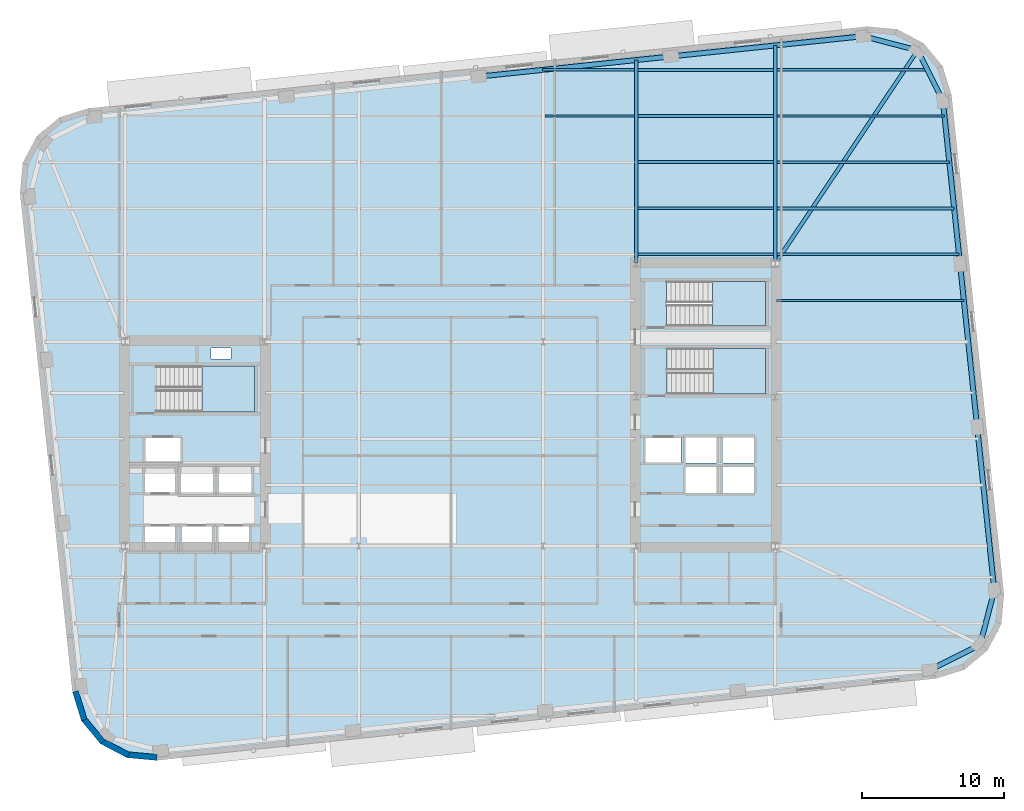
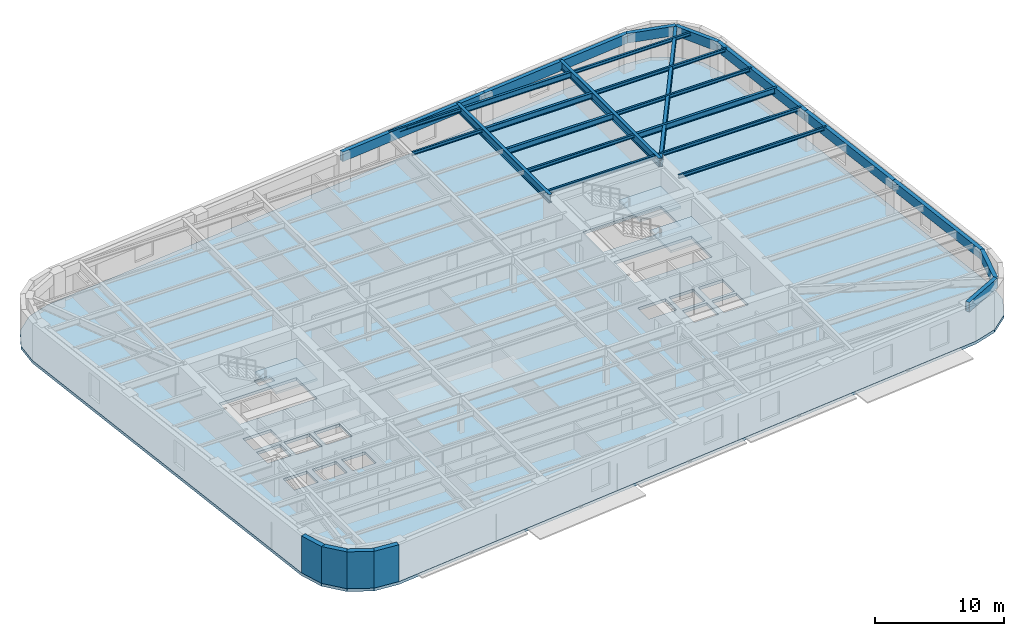
# One storey, part 3 of 11: 25 beams, 4 slabs, 4 walls, 3 elements without a shape of their own.
"""IFC4 building model written with IfcOpenShell, lengths in metres."""

import ifcopenshell
import ifcopenshell.guid

model = None  # the IFC model being written
_history = None  # IfcOwnerHistory: only IFC2X3 demands one
_inside = {}  # id of a spatial element -> (the spatial element, [elements in it])
_under = {}  # id of a project, library or spatial element -> (it, [spatial elements below it])
_declared = {}  # id of a project -> (the project, [libraries it declares])
_typed = {}  # id of a type object -> (the type object, [elements of that type])
_made_of = {}  # id of a material, layer set ... -> (it, [elements and type objects made of it])


def new_model(schema):
    """Start an empty IFC model of exactly this schema.

    Asked for "IFC4X3", IfcOpenShell would pick the latest addendum, in which some entities
    have other attributes; the version numbers below select the first issue.
    IFC2X3 requires an IfcOwnerHistory on every rooted entity: one is made here for all.
    """
    global model, _history
    if schema == "IFC4X3":
        model = ifcopenshell.file(schema_version=(4, 3, 0, 0))
    else:
        model = ifcopenshell.file(schema=schema)
    _inside.clear()
    _under.clear()
    _declared.clear()
    _typed.clear()
    _made_of.clear()
    _history = None
    if model.schema == "IFC2X3":
        org = make("IfcOrganization", Name="unknown")
        user = make(
            "IfcPersonAndOrganization",
            ThePerson=make("IfcPerson", FamilyName="unknown"),
            TheOrganization=org,
        )
        app = make(
            "IfcApplication",
            ApplicationDeveloper=org,
            Version="unknown",
            ApplicationFullName="unknown",
            ApplicationIdentifier="unknown",
        )
        _history = make(
            "IfcOwnerHistory",
            OwningUser=user,
            OwningApplication=app,
            ChangeAction="ADDED",
            CreationDate=0,
        )
    return model


def make(cls, **values):
    """One entity of the class cls with the attributes given. An attribute that is None is left unset."""
    return model.create_entity(
        cls, **{name: value for name, value in values.items() if value is not None}
    )


def rooted(cls, **values):
    """An entity with a GlobalId (a new one), such as an element, a storey or a relation."""
    return make(cls, GlobalId=ifcopenshell.guid.new(), OwnerHistory=_history, **values)


def si_unit(unit_type, name, prefix=None):
    """IfcSIUnit, for example si_unit("LENGTHUNIT", "METRE", prefix="MILLI")."""
    return make("IfcSIUnit", UnitType=unit_type, Prefix=prefix, Name=name)


def assignment(units):
    """IfcUnitAssignment: the units of a project."""
    return None if units is None else make("IfcUnitAssignment", Units=units)


def point(xyz):
    """IfcCartesianPoint."""
    return None if xyz is None else make("IfcCartesianPoint", Coordinates=xyz)


def direction(xyz):
    """IfcDirection."""
    return None if xyz is None else make("IfcDirection", DirectionRatios=xyz)


def frame(location, z_axis=None, x_axis=None):
    """IfcAxis2Placement3D, a coordinate frame: its origin and axes. An axis left out is left unset."""
    return make(
        "IfcAxis2Placement3D",
        Location=point(location),
        Axis=direction(z_axis),
        RefDirection=direction(x_axis),
    )


def frame_2d(location, x_axis=None):
    """IfcAxis2Placement2D, a coordinate frame in the plane: its origin and x axis."""
    return make(
        "IfcAxis2Placement2D", Location=point(location), RefDirection=direction(x_axis)
    )


def origin():
    """The frame at (0, 0, 0) with its axes left unset."""
    return frame((0.0, 0.0, 0.0))


def origin_2d():
    """The frame at (0, 0) in the plane with its x axis left unset."""
    return frame_2d((0.0, 0.0))


def place(relative_to, where):
    """IfcLocalPlacement: puts the frame where relative to a parent placement (None: the world)."""
    return make(
        "IfcLocalPlacement", PlacementRelTo=relative_to, RelativePlacement=where
    )


def context(
    kind, dimensions, precision=None, world=None, true_north=None, identifier=None
):
    """IfcGeometricRepresentationContext, for example the 3D "Model" context."""
    return make(
        "IfcGeometricRepresentationContext",
        ContextIdentifier=identifier,
        ContextType=kind,
        CoordinateSpaceDimension=dimensions,
        Precision=precision,
        WorldCoordinateSystem=world,
        TrueNorth=true_north,
    )


def subcontext(parent, identifier, kind, view, scale=None):
    """IfcGeometricRepresentationSubContext, for example "Body" below "Model"."""
    return make(
        "IfcGeometricRepresentationSubContext",
        ContextIdentifier=identifier,
        ContextType=kind,
        ParentContext=parent,
        TargetScale=scale,
        TargetView=view,
    )


def project(units=None, contexts=None):
    """IfcProject with its units and contexts."""
    return rooted(
        "IfcProject",
        Name="project",
        RepresentationContexts=contexts,
        UnitsInContext=assignment(units),
    )


def spatial(cls, under=None, at=None, **own):
    """A site, building, storey or space (cls), placed at a placement, below another one or the project."""
    s = rooted(cls, ObjectPlacement=at, **own)
    if under is not None:
        _under.setdefault(under.id(), (under, []))[1].append(s)
    return s


def polyline(points):
    """IfcPolyline through the points."""
    return make("IfcPolyline", Points=[point(p) for p in points])


def profile(cls, at=None, kind="AREA", **sizes):
    """A parametric profile (cls). Its sizes go by their IFC names, for example OverallWidth=200.0."""
    return make(cls, ProfileType=kind, Position=at, **sizes)


def rectangle(**sizes):
    """IfcRectangleProfileDef."""
    return profile("IfcRectangleProfileDef", **sizes)


def hollow_rectangle(**sizes):
    """IfcRectangleHollowProfileDef."""
    return profile("IfcRectangleHollowProfileDef", **sizes)


def i_section(**sizes):
    """IfcIShapeProfileDef."""
    return profile("IfcIShapeProfileDef", **sizes)


def outline(outer, holes=None, kind="AREA"):
    """IfcArbitraryClosedProfileDef: a profile drawn as a closed curve; with holes, ...WithVoids."""
    if holes is None:
        return make("IfcArbitraryClosedProfileDef", ProfileType=kind, OuterCurve=outer)
    return make(
        "IfcArbitraryProfileDefWithVoids",
        ProfileType=kind,
        OuterCurve=outer,
        InnerCurves=holes,
    )


def extrude(swept, where, along, depth):
    """IfcExtrudedAreaSolid: the profile swept, set in the frame where, extruded along a direction by depth."""
    return make(
        "IfcExtrudedAreaSolid",
        SweptArea=swept,
        Position=where,
        ExtrudedDirection=direction(along),
        Depth=depth,
    )


def shape(context_of_items, identifier, shape_type, items):
    """IfcShapeRepresentation: the items that make up one representation, for example the "Body"."""
    return make(
        "IfcShapeRepresentation",
        ContextOfItems=context_of_items,
        RepresentationIdentifier=identifier,
        RepresentationType=shape_type,
        Items=items,
    )


def material(Name=None, Category=None):
    """IfcMaterial."""
    return make("IfcMaterial", Name=Name, Category=Category)


def layer(
    of_material, thickness, ventilated=None, Name=None, Category=None, Priority=None
):
    """IfcMaterialLayer: one layer of a wall or slab, of a material (None: an air gap)."""
    return make(
        "IfcMaterialLayer",
        Material=of_material,
        LayerThickness=thickness,
        IsVentilated=ventilated,
        Name=Name,
        Category=Category,
        Priority=Priority,
    )


def layer_set(layers, Name=None):
    """IfcMaterialLayerSet."""
    return make("IfcMaterialLayerSet", MaterialLayers=layers, LayerSetName=Name)


def material_profile(
    of_material, cross_section, Name=None, Category=None, Priority=None
):
    """IfcMaterialProfile: a cross section and its material."""
    return make(
        "IfcMaterialProfile",
        Name=Name,
        Material=of_material,
        Profile=cross_section,
        Priority=Priority,
        Category=Category,
    )


def profile_set(profiles, Name=None, composite=None):
    """IfcMaterialProfileSet."""
    return make(
        "IfcMaterialProfileSet",
        Name=Name,
        MaterialProfiles=profiles,
        CompositeProfile=composite,
    )


def made_of(thing, what):
    """Note that an element or type object is made of a material, layer set ...; save() writes the relation."""
    if what is not None:
        _made_of.setdefault(what.id(), (what, []))[1].append(thing)
    return thing


def type_object(cls, material=None, **own):
    """A type object (cls), such as IfcWallType, which elements share."""
    return made_of(rooted(cls, **own), material)


def element(
    cls,
    number,
    at=None,
    inside=None,
    cuts=None,
    type_object=None,
    material=None,
    context=None,
    identifier="Body",
    shape_type=None,
    held_by="IfcProductDefinitionShape",
    body=None,
    shapes=None,
    **own,
):
    """One element of the class cls, such as IfcWall. Its Tag is "e" and its number.

    at: its placement. inside: the storey or other place that contains it. cuts: it is an
    opening in that element (IfcRelVoidsElement). A single representation is given by context,
    identifier, shape_type and body (its items); several are given by shapes. held_by: the class
    of the entity that holds the representations. save() writes the other relations.
    """
    e = rooted(cls, Tag="e%d" % number, ObjectPlacement=at, **own)
    if body is not None:
        shapes = [shape(context, identifier, shape_type, body)]
    if shapes is not None:
        e.Representation = make(held_by, Representations=shapes)
    if inside is not None:
        _inside.setdefault(inside.id(), (inside, []))[1].append(e)
    if cuts is not None:
        rooted(
            "IfcRelVoidsElement", RelatingBuildingElement=cuts, RelatedOpeningElement=e
        )
    if type_object is not None:
        _typed.setdefault(type_object.id(), (type_object, []))[1].append(e)
    return made_of(e, material)


def aggregate(whole, parts):
    """IfcRelAggregates: a whole, such as a stair, and the parts it consists of."""
    return rooted("IfcRelAggregates", RelatingObject=whole, RelatedObjects=parts)


def save(model, path):
    """Write the relations noted so far, then the file.

    IfcRelAggregates (storeys below a building ...), IfcRelContainedInSpatialStructure (elements
    in a storey), IfcRelDefinesByType, IfcRelAssociatesMaterial and IfcRelDeclares: one each for
    every whole, place, type object, material and project.
    """
    for whole, parts in _under.values():
        aggregate(whole, parts)
    for where, things in _inside.values():
        rooted(
            "IfcRelContainedInSpatialStructure",
            RelatedElements=things,
            RelatingStructure=where,
        )
    for kind, things in _typed.values():
        rooted("IfcRelDefinesByType", RelatedObjects=things, RelatingType=kind)
    for what, things in _made_of.values():
        rooted("IfcRelAssociatesMaterial", RelatedObjects=things, RelatingMaterial=what)
    for by, libraries in _declared.values():
        rooted("IfcRelDeclares", RelatingContext=by, RelatedDefinitions=libraries)
    model.write(path)


model = new_model("IFC4")

# Units and contexts
model_context = context("Model", 3, precision=1e-05, world=origin(), true_north=direction((0.0, 1.0)))
body_context = subcontext(model_context, "Body", "Model", "MODEL_VIEW")
ifc_project = project(units=[si_unit("LENGTHUNIT", "METRE"), si_unit("AREAUNIT", "SQUARE_METRE"), si_unit("VOLUMEUNIT", "CUBIC_METRE"), si_unit("PLANEANGLEUNIT", "RADIAN"), si_unit("MASSUNIT", "GRAM", prefix="KILO")], contexts=[model_context])

# Site, building, storey
site_placement = place(None, origin())
site = spatial("IfcSite", under=ifc_project, at=site_placement, CompositionType="ELEMENT")
building_placement = place(site_placement, origin())
building = spatial("IfcBuilding", under=site, at=building_placement, Name="Kolvaren Arena Tower", CompositionType="ELEMENT")
storey_placement = place(building_placement, frame((0.0, 0.0, 134.5)))
storey = spatial("IfcBuildingStorey", under=building, at=storey_placement, Name="L31", CompositionType="ELEMENT", Elevation=134.5)

# Beams
ifc_material_1 = material(Name="Steel CSA G40.21 350W", Category="steel")
ifc_material_profile_1 = material_profile(ifc_material_1, i_section(OverallWidth=0.2119140625, OverallDepth=0.54296875, WebThickness=0.01318359375, FlangeThickness=0.0244140625, FilletRadius=0.013916015625, at=origin_2d()), Name="W530x150")
ifc_profile_set_1 = profile_set([ifc_material_profile_1], Name="Steel CSA G40.21 350W")
beam_type_1 = type_object("IfcBeamType", Name="BEAM-F1", PredefinedType="BEAM", material=ifc_profile_set_1)
beam_1_placement = place(storey_placement, frame((60.485107421875, 43.25, 3.20849609375), z_axis=(1.0, 0.0, 0.0), x_axis=(0.0, 1.0, 0.0)))
element("IfcBeam", 1, at=beam_1_placement, inside=storey, type_object=beam_type_1, Name="Composite Floor Beam (L31)", PredefinedType="BEAM", context=body_context, shape_type="SweptSolid", body=[
    extrude(i_section(OverallWidth=0.2119140625, OverallDepth=0.54296875, WebThickness=0.01318359375, FlangeThickness=0.0244140625, FilletRadius=0.013916015625, at=origin_2d()), origin(), (0.0, 0.0, 1.0), 12.471435546875),
])
for number, where, z_axis, x_axis, name in (
    (2, (50.68505859375, 46.5, 3.20849609375), (1.0, 0.0, 0.0), (0.0, 1.0, 0.0), "Composite Floor Beam (L31)"),
    (3, (50.68505859375, 49.75, 3.20849609375), (1.0, 0.0, 0.0), (0.0, 1.0, 0.0), "Composite Floor Beam (L31)"),
    (4, (50.68505859375, 53.0, 3.20849609375), (1.0, 0.0, 0.0), (0.0, 1.0, 0.0), "Composite Floor Beam (L31)"),
):
    element("IfcBeam", number, at=place(storey_placement, frame(where, z_axis=z_axis, x_axis=x_axis)), inside=storey, type_object=beam_type_1, Name=name, PredefinedType="BEAM", context=body_context, shape_type="SweptSolid", body=[
        extrude(i_section(OverallWidth=0.2119140625, OverallDepth=0.54296875, WebThickness=0.01318359375, FlangeThickness=0.0244140625, FilletRadius=0.013916015625, at=origin_2d()), origin(), (0.0, 0.0, 1.0), 9.530029296875),
    ])
ifc_material_profile_2 = material_profile(ifc_material_1, i_section(OverallWidth=0.27001953125, OverallDepth=0.77294921875, WebThickness=0.019287109375, FlangeThickness=0.033447265625, FilletRadius=0.01806640625, at=origin_2d()), Name="W760x257")
ifc_profile_set_2 = profile_set([ifc_material_profile_2], Name="Steel CSA G40.21 350W")
beam_type_2 = type_object("IfcBeamType", Name="GIRD-T1", PredefinedType="BEAM", material=ifc_profile_set_2)
beam_2_placement = place(storey_placement, frame((70.387939453125, 54.37939453125, 3.093505859375), z_axis=(-0.555401401293, -0.831582397266, 0.0), x_axis=(0.831582397266, -0.555401401293, 0.0)))
element("IfcBeam", 5, at=beam_2_placement, inside=storey, type_object=beam_type_2, Name="Corner Diagonal Tie Girder (L31)", PredefinedType="BEAM", context=body_context, shape_type="SweptSolid", body=[
    extrude(i_section(OverallWidth=0.27001953125, OverallDepth=0.77294921875, WebThickness=0.019287109375, FlangeThickness=0.033447265625, FilletRadius=0.01806640625, at=origin_2d()), origin(), (0.0, 0.0, 1.0), 18.0732421875),
])
beam_3_placement = place(storey_placement, frame((50.550048828125, 39.405029296875, 3.093505859375), z_axis=(0.0, 1.0, 0.0), x_axis=(-1.0, 0.0, 0.0)))
element("IfcBeam", 6, at=beam_3_placement, inside=storey, type_object=beam_type_2, Name="Primary Floor Girder (L31)", PredefinedType="BEAM", context=body_context, shape_type="SweptSolid", body=[
    extrude(i_section(OverallWidth=0.27001953125, OverallDepth=0.77294921875, WebThickness=0.019287109375, FlangeThickness=0.033447265625, FilletRadius=0.01806640625, at=origin_2d()), origin(), (0.0, 0.0, 1.0), 14.288330078125),
])
beam_4_placement = place(storey_placement, frame((60.35009765625, 39.405029296875, 3.093505859375), z_axis=(0.0, 1.0, 0.0), x_axis=(-1.0, 0.0, 0.0)))
element("IfcBeam", 7, at=beam_4_placement, inside=storey, type_object=beam_type_2, Name="Primary Floor Girder (L31)", PredefinedType="BEAM", context=body_context, shape_type="SweptSolid", body=[
    extrude(i_section(OverallWidth=0.27001953125, OverallDepth=0.77294921875, WebThickness=0.019287109375, FlangeThickness=0.033447265625, FilletRadius=0.01806640625, at=origin_2d()), origin(), (0.0, 0.0, 1.0), 15.318359375),
])
ifc_material_profile_3 = material_profile(ifc_material_1, i_section(OverallWidth=0.1669921875, OverallDepth=0.31689453125, WebThickness=0.007568359375, FlangeThickness=0.01318359375, FilletRadius=0.010009765625, at=origin_2d()), Name="W310x52")
ifc_profile_set_3 = profile_set([ifc_material_profile_3], Name="Steel CSA G40.21 350W")
beam_type_3 = type_object("IfcBeamType", Name="JOIST-02", PredefinedType="JOIST", material=ifc_profile_set_3)
beam_5_placement = place(storey_placement, frame((60.445068359375, 36.75, 3.321533203125), z_axis=(1.0, 0.0, 0.0), x_axis=(0.0, 1.0, 0.0)))
element("IfcBeam", 8, at=beam_5_placement, inside=storey, type_object=beam_type_3, Name="Composite Floor Joist (L31)", PredefinedType="JOIST", context=body_context, shape_type="SweptSolid", body=[
    extrude(i_section(OverallWidth=0.1669921875, OverallDepth=0.31689453125, WebThickness=0.007568359375, FlangeThickness=0.01318359375, FilletRadius=0.010009765625, at=origin_2d()), origin(), (0.0, 0.0, 1.0), 13.19482421875),
])
beam_6_placement = place(storey_placement, frame((50.68505859375, 40.0, 3.321533203125), z_axis=(1.0, 0.0, 0.0), x_axis=(0.0, 1.0, 0.0)))
element("IfcBeam", 9, at=beam_6_placement, inside=storey, type_object=beam_type_3, Name="Composite Floor Joist (L31)", PredefinedType="JOIST", context=body_context, shape_type="SweptSolid", body=[
    extrude(i_section(OverallWidth=0.1669921875, OverallDepth=0.31689453125, WebThickness=0.007568359375, FlangeThickness=0.01318359375, FilletRadius=0.010009765625, at=origin_2d()), origin(), (0.0, 0.0, 1.0), 9.530029296875),
])
beam_7_placement = place(storey_placement, frame((60.485107421875, 40.0, 3.321533203125), z_axis=(1.0, 0.0, 0.0), x_axis=(0.0, 1.0, 0.0)))
element("IfcBeam", 10, at=beam_7_placement, inside=storey, type_object=beam_type_3, Name="Composite Floor Joist (L31)", PredefinedType="JOIST", context=body_context, shape_type="SweptSolid", body=[
    extrude(i_section(OverallWidth=0.1669921875, OverallDepth=0.31689453125, WebThickness=0.007568359375, FlangeThickness=0.01318359375, FilletRadius=0.010009765625, at=origin_2d()), origin(), (0.0, 0.0, 1.0), 12.81298828125),
])
beam_8_placement = place(storey_placement, frame((50.68505859375, 43.25, 3.321533203125), z_axis=(1.0, 0.0, 0.0), x_axis=(0.0, 1.0, 0.0)))
element("IfcBeam", 11, at=beam_8_placement, inside=storey, type_object=beam_type_3, Name="Composite Floor Joist (L31)", PredefinedType="JOIST", context=body_context, shape_type="SweptSolid", body=[
    extrude(i_section(OverallWidth=0.1669921875, OverallDepth=0.31689453125, WebThickness=0.007568359375, FlangeThickness=0.01318359375, FilletRadius=0.010009765625, at=origin_2d()), origin(), (0.0, 0.0, 1.0), 9.530029296875),
])
beam_9_placement = place(storey_placement, frame((60.485107421875, 46.5, 3.321533203125), z_axis=(1.0, 0.0, 0.0), x_axis=(0.0, 1.0, 0.0)))
element("IfcBeam", 12, at=beam_9_placement, inside=storey, type_object=beam_type_3, Name="Composite Floor Joist (L31)", PredefinedType="JOIST", context=body_context, shape_type="SweptSolid", body=[
    extrude(i_section(OverallWidth=0.1669921875, OverallDepth=0.31689453125, WebThickness=0.007568359375, FlangeThickness=0.01318359375, FilletRadius=0.010009765625, at=origin_2d()), origin(), (0.0, 0.0, 1.0), 12.1298828125),
])
beam_10_placement = place(storey_placement, frame((44.135009765625, 49.75, 3.321533203125), z_axis=(1.0, 0.0, 0.0), x_axis=(0.0, 1.0, 0.0)))
element("IfcBeam", 13, at=beam_10_placement, inside=storey, type_object=beam_type_3, Name="Composite Floor Joist (L31)", PredefinedType="JOIST", context=body_context, shape_type="SweptSolid", body=[
    extrude(i_section(OverallWidth=0.1669921875, OverallDepth=0.31689453125, WebThickness=0.007568359375, FlangeThickness=0.01318359375, FilletRadius=0.010009765625, at=origin_2d()), origin(), (0.0, 0.0, 1.0), 6.280029296875),
])
beam_11_placement = place(storey_placement, frame((60.485107421875, 49.75, 3.321533203125), z_axis=(1.0, 0.0, 0.0), x_axis=(0.0, 1.0, 0.0)))
element("IfcBeam", 14, at=beam_11_placement, inside=storey, type_object=beam_type_3, Name="Composite Floor Joist (L31)", PredefinedType="JOIST", context=body_context, shape_type="SweptSolid", body=[
    extrude(i_section(OverallWidth=0.1669921875, OverallDepth=0.31689453125, WebThickness=0.007568359375, FlangeThickness=0.01318359375, FilletRadius=0.010009765625, at=origin_2d()), origin(), (0.0, 0.0, 1.0), 11.788330078125),
])
beam_12_placement = place(storey_placement, frame((43.95361328125, 53.0, 3.321533203125), z_axis=(1.0, 0.0, 0.0), x_axis=(0.0, 1.0, 0.0)))
element("IfcBeam", 15, at=beam_12_placement, inside=storey, type_object=beam_type_3, Name="Composite Floor Joist (L31)", PredefinedType="JOIST", context=body_context, shape_type="SweptSolid", body=[
    extrude(i_section(OverallWidth=0.1669921875, OverallDepth=0.31689453125, WebThickness=0.007568359375, FlangeThickness=0.01318359375, FilletRadius=0.010009765625, at=origin_2d()), origin(), (0.0, 0.0, 1.0), 6.46142578125),
])
beam_13_placement = place(storey_placement, frame((60.485107421875, 53.0, 3.321533203125), z_axis=(1.0, 0.0, 0.0), x_axis=(0.0, 1.0, 0.0)))
element("IfcBeam", 16, at=beam_13_placement, inside=storey, type_object=beam_type_3, Name="Composite Floor Joist (L31)", PredefinedType="JOIST", context=body_context, shape_type="SweptSolid", body=[
    extrude(i_section(OverallWidth=0.1669921875, OverallDepth=0.31689453125, WebThickness=0.007568359375, FlangeThickness=0.01318359375, FilletRadius=0.010009765625, at=origin_2d()), origin(), (0.0, 0.0, 1.0), 10.592529296875),
])
ifc_material_2 = material(Name="Steel CSA G40.21 350WT", Category="steel")
ifc_material_profile_4 = material_profile(ifc_material_2, hollow_rectangle(XDim=0.35009765625, YDim=0.89990234375, WallThickness=0.02001953125, at=origin_2d()), Name="HSS 900x350x20")
ifc_profile_set_4 = profile_set([ifc_material_profile_4], Name="Steel CSA G40.21 350WT")
beam_type_4 = type_object("IfcBeamType", Name="SPAND-01", PredefinedType="SPANDREL", material=ifc_profile_set_4)
for number, where, z_axis, x_axis, name in (
    (17, (71.247314453125, 10.721435546875, 3.030029296875), (0.894451843771, 0.44716428656, 0.0), (-0.44716428656, 0.894451843771, 0.0), "Perimeter Spandrel Beam (L31)"),
    (18, (74.790283203125, 12.49267578125, 3.030029296875), (0.251473350892, 0.967864222808, 0.0), (-0.967864222808, 0.251473350892, 0.0), "Perimeter Spandrel Beam (L31)"),
):
    element("IfcBeam", number, at=place(storey_placement, frame(where, z_axis=z_axis, x_axis=x_axis)), inside=storey, type_object=beam_type_4, Name=name, PredefinedType="SPANDREL", context=body_context, shape_type="SweptSolid", body=[
        extrude(hollow_rectangle(XDim=0.35009765625, YDim=0.89990234375, WallThickness=0.02001953125, at=origin_2d()), origin(), (0.0, 0.0, 1.0), 3.9609375),
    ])
beam_14_placement = place(storey_placement, frame((75.786376953125, 16.326416015625, 3.030029296875), z_axis=(-0.104522171998, 0.994522556587, 0.0), x_axis=(-0.994522556587, -0.104522171998, 0.0)))
element("IfcBeam", 19, at=beam_14_placement, inside=storey, type_object=beam_type_4, Name="Perimeter Spandrel Beam (L31)", PredefinedType="SPANDREL", context=body_context, shape_type="SweptSolid", body=[
    extrude(hollow_rectangle(XDim=0.35009765625, YDim=0.89990234375, WallThickness=0.02001953125, at=origin_2d()), origin(), (0.0, 0.0, 1.0), 11.56689453125),
])
beam_15_placement = place(storey_placement, frame((74.577392578125, 27.829833984375, 3.030029296875), z_axis=(-0.104524366116, 0.994522325988, 0.0), x_axis=(-0.994522325988, -0.104524366116, 0.0)))
element("IfcBeam", 20, at=beam_15_placement, inside=storey, type_object=beam_type_4, Name="Perimeter Spandrel Beam (L31)", PredefinedType="SPANDREL", context=body_context, shape_type="SweptSolid", body=[
    extrude(hollow_rectangle(XDim=0.35009765625, YDim=0.89990234375, WallThickness=0.02001953125, at=origin_2d()), origin(), (0.0, 0.0, 1.0), 11.566650390625),
])
beam_16_placement = place(storey_placement, frame((73.368408203125, 39.3330078125, 3.030029296875), z_axis=(-0.104543048399, 0.994520362301, 0.0), x_axis=(-0.994520362301, -0.104543048399, 0.0)))
element("IfcBeam", 21, at=beam_16_placement, inside=storey, type_object=beam_type_4, Name="Perimeter Spandrel Beam (L31)", PredefinedType="SPANDREL", context=body_context, shape_type="SweptSolid", body=[
    extrude(hollow_rectangle(XDim=0.35009765625, YDim=0.89990234375, WallThickness=0.02001953125, at=origin_2d()), origin(), (0.0, 0.0, 1.0), 11.56689453125),
])
for number, where, z_axis, x_axis, name in (
    (22, (72.1591796875, 50.83642578125, 3.030029296875), (-0.44716428656, 0.894451843771, 0.0), (-0.894451843771, -0.44716428656, 0.0), "Perimeter Spandrel Beam (L31)"),
    (23, (70.387939453125, 54.37939453125, 3.030029296875), (-0.967864222808, 0.251473350892, 0.0), (-0.251473350892, -0.967864222808, 0.0), "Perimeter Spandrel Beam (L31)"),
):
    element("IfcBeam", number, at=place(storey_placement, frame(where, z_axis=z_axis, x_axis=x_axis)), inside=storey, type_object=beam_type_4, Name=name, PredefinedType="SPANDREL", context=body_context, shape_type="SweptSolid", body=[
        extrude(hollow_rectangle(XDim=0.35009765625, YDim=0.89990234375, WallThickness=0.02001953125, at=origin_2d()), origin(), (0.0, 0.0, 1.0), 3.9609375),
    ])
beam_17_placement = place(storey_placement, frame((66.55419921875, 55.37548828125, 3.030029296875), z_axis=(-0.994521150946, -0.104535545729, 0.0), x_axis=(0.104535545729, -0.994521150946, 0.0)))
element("IfcBeam", 24, at=beam_17_placement, inside=storey, type_object=beam_type_4, Name="Perimeter Spandrel Beam (L31)", PredefinedType="SPANDREL", context=body_context, shape_type="SweptSolid", body=[
    extrude(hollow_rectangle(XDim=0.35009765625, YDim=0.89990234375, WallThickness=0.02001953125, at=origin_2d()), origin(), (0.0, 0.0, 1.0), 13.625244140625),
])
beam_18_placement = place(storey_placement, frame((53.003662109375, 53.951171875, 3.030029296875), z_axis=(-0.994522817887, -0.104519685718, 0.0), x_axis=(0.104519685718, -0.994522817887, 0.0)))
element("IfcBeam", 25, at=beam_18_placement, inside=storey, type_object=beam_type_4, Name="Perimeter Spandrel Beam (L31)", PredefinedType="SPANDREL", context=body_context, shape_type="SweptSolid", body=[
    extrude(hollow_rectangle(XDim=0.35009765625, YDim=0.89990234375, WallThickness=0.02001953125, at=origin_2d()), origin(), (0.0, 0.0, 1.0), 13.625),
])

# Stair, slab
ifc_material_3 = material(Name="Concrete 45 MPa", Category="concrete")
stair_type_1 = type_object("IfcStairType", Name="STAIR-CORE-165", PredefinedType="HALF_TURN_STAIR", material=ifc_material_3)
stair_1_placement = place(storey_placement, origin())
stair_1 = element("IfcStair", 26, at=stair_1_placement, inside=storey, type_object=stair_type_1, Name="L31 ST-W1", PredefinedType="HALF_TURN_STAIR")
ifc_layer_1 = layer(ifc_material_3, 0.199951171875)
ifc_layer_set_1 = layer_set([ifc_layer_1], Name="Concrete 45 MPa")
slab_type_1 = type_object("IfcSlabType", Name="SLAB-LAND", PredefinedType="LANDING", material=ifc_layer_set_1)
slab_1_placement = place(storey_placement, frame((0.0, 0.0, 1.675048828125)))
slab_1 = element("IfcSlab", 27, at=slab_1_placement, type_object=slab_type_1, Name="ST-W1 landing 1", PredefinedType="LANDING", context=body_context, shape_type="SweptSolid", body=[
    extrude(outline(polyline([(19.9599609375, 28.89990234375), (23.659912109375, 28.89990234375), (23.659912109375, 32.1298828125), (19.9599609375, 32.1298828125), (19.9599609375, 28.89990234375)])), origin(), (0.0, 0.0, 1.0), 0.199951171875),
])
aggregate(stair_1, [slab_1])

stair_2_placement = place(storey_placement, origin())
stair_2 = element("IfcStair", 28, at=stair_2_placement, inside=storey, type_object=stair_type_1, Name="L31 ST-E1", PredefinedType="HALF_TURN_STAIR")
slab_2_placement = place(storey_placement, frame((0.0, 0.0, 1.675048828125)))
slab_2 = element("IfcSlab", 29, at=slab_2_placement, type_object=slab_type_1, Name="ST-E1 landing 1", PredefinedType="LANDING", context=body_context, shape_type="SweptSolid", body=[
    extrude(outline(polyline([(55.9599609375, 30.14990234375), (59.659912109375, 30.14990234375), (59.659912109375, 33.3798828125), (55.9599609375, 33.3798828125), (55.9599609375, 30.14990234375)])), origin(), (0.0, 0.0, 1.0), 0.199951171875),
])
aggregate(stair_2, [slab_2])

stair_type_2 = type_object("IfcStairType", Name="STAIR-CORE-150", PredefinedType="HALF_TURN_STAIR", material=ifc_material_3)
stair_3_placement = place(storey_placement, origin())
stair_3 = element("IfcStair", 30, at=stair_3_placement, inside=storey, type_object=stair_type_2, Name="L31 ST-E2", PredefinedType="HALF_TURN_STAIR")
slab_3_placement = place(storey_placement, frame((0.0, 0.0, 1.675048828125)))
slab_3 = element("IfcSlab", 31, at=slab_3_placement, type_object=slab_type_1, Name="ST-E2 landing 1", PredefinedType="LANDING", context=body_context, shape_type="SweptSolid", body=[
    extrude(outline(polyline([(55.919921875, 34.949951171875), (59.659912109375, 34.949951171875), (59.659912109375, 38.10009765625), (55.919921875, 38.10009765625), (55.919921875, 34.949951171875)])), origin(), (0.0, 0.0, 1.0), 0.199951171875),
])
aggregate(stair_3, [slab_3])

# Slab
ifc_layer_2 = layer(ifc_material_3, 0.27001953125)
ifc_layer_set_2 = layer_set([ifc_layer_2], Name="Concrete 45 MPa")
slab_type_2 = type_object("IfcSlabType", Name="SLAB-OFF2", PredefinedType="FLOOR", material=ifc_layer_set_2)
slab_4_placement = place(storey_placement, frame((0.0, 0.0, -0.27001953125)))
element("IfcSlab", 32, at=slab_4_placement, inside=storey, type_object=slab_type_2, Name="L31 Primary Structural Slab", PredefinedType="FLOOR", context=body_context, shape_type="SweptSolid", body=[
    extrude(outline(polyline([(71.663330078125, 10.111572265625), (73.675537109375, 10.736328125), (75.29541015625, 12.08349609375), (76.276611328125, 13.9482421875), (76.469482421875, 16.04638671875), (72.76904296875, 51.25244140625), (72.144287109375, 53.2646484375), (70.797119140625, 54.884521484375), (68.932373046875, 55.865478515625), (66.834228515625, 56.058349609375), (11.9365234375, 50.28857421875), (9.92431640625, 49.663818359375), (8.304443359375, 48.31640625), (7.323486328125, 46.45166015625), (7.130615234375, 44.353515625), (10.830810546875, 9.1474609375), (11.455810546875, 7.13525390625), (12.802978515625, 5.515380859375), (14.667724609375, 4.534423828125), (16.765869140625, 4.341552734375), (71.663330078125, 10.111572265625)]), holes=[polyline([(15.93505859375, 19.0849609375), (15.93505859375, 20.81494140625), (18.06494140625, 20.81494140625), (18.06494140625, 19.0849609375), (15.93505859375, 19.0849609375)]), polyline([(18.534912109375, 19.0849609375), (18.534912109375, 20.81494140625), (20.6650390625, 20.81494140625), (20.6650390625, 19.0849609375), (18.534912109375, 19.0849609375)]), polyline([(21.135009765625, 19.0849609375), (21.135009765625, 20.81494140625), (23.264892578125, 20.81494140625), (23.264892578125, 19.0849609375), (21.135009765625, 19.0849609375)]), polyline([(18.4599609375, 23.135009765625), (18.4599609375, 25.06494140625), (20.739990234375, 25.06494140625), (20.739990234375, 23.135009765625), (18.4599609375, 23.135009765625)]), polyline([(21.159912109375, 23.135009765625), (21.159912109375, 25.06494140625), (23.43994140625, 25.06494140625), (23.43994140625, 23.135009765625), (21.159912109375, 23.135009765625)]), polyline([(54.030029296875, 23.18505859375), (54.030029296875, 25.014892578125), (56.2099609375, 25.014892578125), (56.2099609375, 23.18505859375), (54.030029296875, 23.18505859375)]), polyline([(56.669921875, 23.18505859375), (56.669921875, 25.014892578125), (58.85009765625, 25.014892578125), (58.85009765625, 23.18505859375), (56.669921875, 23.18505859375)]), polyline([(15.93505859375, 23.235107421875), (15.93505859375, 24.965087890625), (18.06494140625, 24.965087890625), (18.06494140625, 23.235107421875), (15.93505859375, 23.235107421875)]), polyline([(54.030029296875, 25.284912109375), (54.030029296875, 27.114990234375), (56.2099609375, 27.114990234375), (56.2099609375, 25.284912109375), (54.030029296875, 25.284912109375)]), polyline([(56.669921875, 25.284912109375), (56.669921875, 27.114990234375), (58.85009765625, 27.114990234375), (58.85009765625, 25.284912109375), (56.669921875, 25.284912109375)]), polyline([(15.9599609375, 25.3349609375), (15.9599609375, 27.06494140625), (18.43994140625, 27.06494140625), (18.43994140625, 25.3349609375), (15.9599609375, 25.3349609375)]), polyline([(51.219970703125, 25.3349609375), (51.219970703125, 27.06494140625), (53.699951171875, 27.06494140625), (53.699951171875, 25.3349609375), (51.219970703125, 25.3349609375)]), polyline([(16.735107421875, 28.89990234375), (16.735107421875, 32.1298828125), (23.659912109375, 32.1298828125), (23.659912109375, 28.89990234375), (16.735107421875, 28.89990234375)]), polyline([(52.735107421875, 30.14990234375), (52.735107421875, 33.3798828125), (59.659912109375, 33.3798828125), (59.659912109375, 30.14990234375), (52.735107421875, 30.14990234375)]), polyline([(20.60009765625, 32.6201171875), (20.60009765625, 33.39990234375), (22.0, 33.39990234375), (22.0, 32.6201171875), (20.60009765625, 32.6201171875)]), polyline([(52.695068359375, 34.949951171875), (52.695068359375, 38.10009765625), (59.659912109375, 38.10009765625), (59.659912109375, 34.949951171875), (52.695068359375, 34.949951171875)])]), origin(), (0.0, 0.0, 1.0), 0.27001953125),
])

# Walls
ifc_material_4 = material(Name="Precast concrete C50/60", Category="concrete")
ifc_layer_3 = layer(ifc_material_4, 0.419921875)
ifc_layer_set_3 = layer_set([ifc_layer_3], Name="Precast concrete C50/60")
wall_type = type_object("IfcWallType", Name="EXT-PIER1", PredefinedType="SOLIDWALL", material=ifc_layer_set_3)
for number, where, z_axis, x_axis, name in (
    (33, (11.65625, 7.197509765625, 0.0), (0.0, 0.0, 1.0), (-0.296519484366, 0.955026803494, 0.0), "Exterior Precast Masonry-Frame Wall (L31)"),
    (34, (12.964599609375, 5.649658203125, 0.0), (0.0, 0.0, 1.0), (-0.639488914921, 0.768800317178, 0.0), "Exterior Precast Masonry-Frame Wall (L31)"),
    (35, (14.765380859375, 4.72021484375, 0.0), (0.0, 0.0, 1.0), (-0.884940843444, 0.465703450282, 0.0), "Exterior Precast Masonry-Frame Wall (L31)"),
):
    element("IfcWall", number, at=place(storey_placement, frame(where, z_axis=z_axis, x_axis=x_axis)), inside=storey, type_object=wall_type, Name=name, PredefinedType="SOLIDWALL", context=body_context, shape_type="SweptSolid", body=[
        extrude(rectangle(XDim=2.10693359375, YDim=0.419921875, at=frame_2d((1.053466796875, 0.0))), origin(), (0.0, 0.0, 1.0), 3.47998046875),
    ])
wall_placement = place(storey_placement, frame((16.784912109375, 4.55078125, 0.0), z_axis=(0.0, 0.0, 1.0), x_axis=(-0.995811110714, 0.091434303078, 0.0)))
element("IfcWall", 36, at=wall_placement, inside=storey, type_object=wall_type, Name="Exterior Precast Masonry-Frame Wall (L31)", PredefinedType="SOLIDWALL", context=body_context, shape_type="SweptSolid", body=[
    extrude(rectangle(XDim=2.106689453125, YDim=0.419921875, at=frame_2d((1.05322265625, 0.0))), origin(), (0.0, 0.0, 1.0), 3.47998046875),
])

save(model, "model.ifc")
